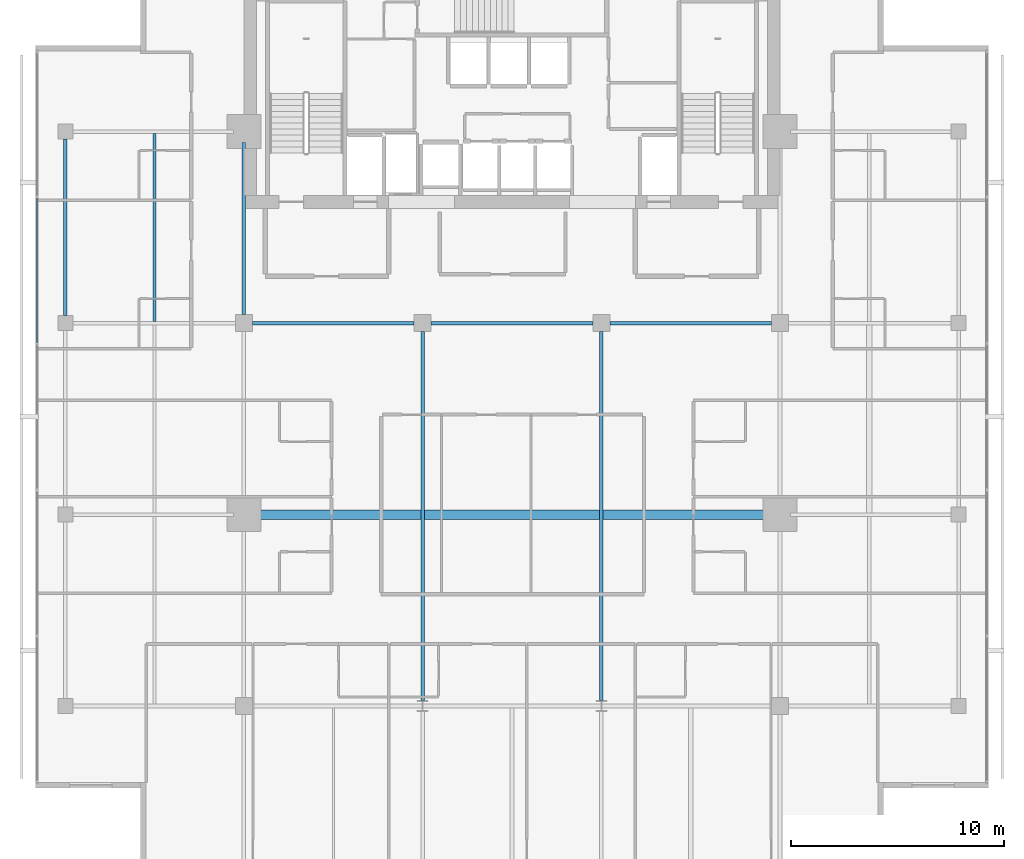
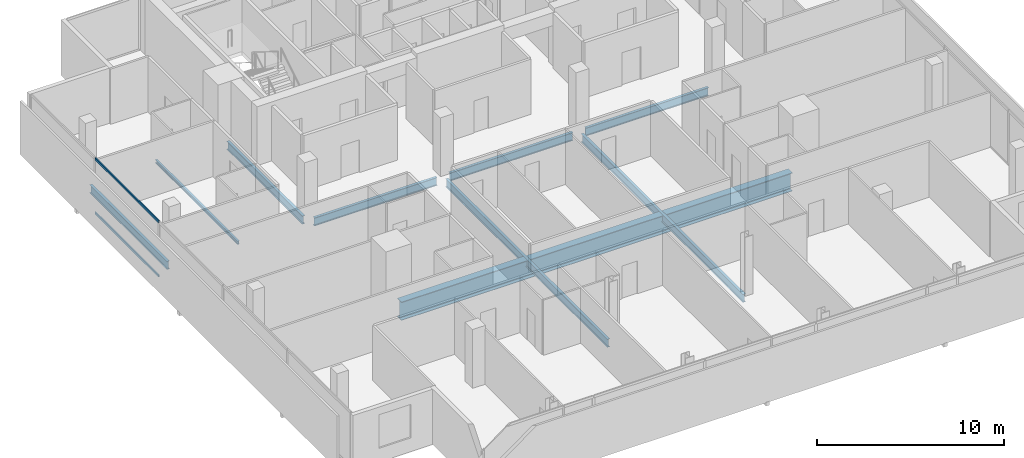
# One storey, part 9 of 25: 9 beams, 2 members, 1 element without a shape of its own.
"""IFC4 building model written with IfcOpenShell, lengths in metres."""

from ifc_helpers import new_model, si_unit, direction, frame, origin, origin_2d, place, context, subcontext, project, spatial, hollow_rectangle, i_section, extrude, material, layer, layer_set, material_profile, profile_set, type_object, element, aggregate, save


model = new_model("IFC4")

# Units and contexts
model_context = context("Model", 3, precision=1e-05, world=origin(), true_north=direction((0.0, 1.0)))
body_context = subcontext(model_context, "Body", "Model", "MODEL_VIEW")
ifc_project = project(units=[si_unit("LENGTHUNIT", "METRE"), si_unit("AREAUNIT", "SQUARE_METRE"), si_unit("VOLUMEUNIT", "CUBIC_METRE"), si_unit("PLANEANGLEUNIT", "RADIAN"), si_unit("MASSUNIT", "GRAM", prefix="KILO")], contexts=[model_context])

# Site, building, storey
site_placement = place(None, origin())
site = spatial("IfcSite", under=ifc_project, at=site_placement, CompositionType="ELEMENT")
building_placement = place(site_placement, origin())
building = spatial("IfcBuilding", under=site, at=building_placement, Name="Maruvema Waterfront Hotel and Observation Tower", CompositionType="ELEMENT")
storey_placement = place(building_placement, frame((0.0, 0.0, 304.85009765625)))
storey = spatial("IfcBuildingStorey", under=building, at=storey_placement, Name="L75", CompositionType="ELEMENT", Elevation=304.85009765625)

# Curtain wall, members
ifc_material_1 = material(Name="Anodised bronze aluminium and solar-control low-E IGU", Category="aluminium")
ifc_layer = layer(ifc_material_1, 0.159912109375, Name="Zone 3 Champagne Inner Thermal Curtain Wall System CW-04")
ifc_layer_set = layer_set([ifc_layer], Name="Anodised bronze aluminium and solar-control low-E IGU")
curtain_wall_type = type_object("IfcCurtainWallType", Name="Zone 3 Champagne Inner Thermal Curtain Wall System CW-04", PredefinedType="USERDEFINED", material=ifc_layer_set)
curtain_wall_placement = place(storey_placement, origin())
curtain_wall = element("IfcCurtainWall", 1, at=curtain_wall_placement, inside=storey, type_object=curtain_wall_type, Name="L75 Curtain Wall CW-L75-W", ObjectType="UNITISED CURTAIN WALL", PredefinedType="USERDEFINED")
ifc_material_2 = material(Name="Anodised architectural bronze aluminium", Category="aluminium")
ifc_material_profile_1 = material_profile(ifc_material_2, hollow_rectangle(XDim=0.070068359375, YDim=0.14990234375, WallThickness=0.00390625, at=origin_2d()), Name="ALU-T70x150")
ifc_profile_set_1 = profile_set([ifc_material_profile_1], Name="Anodised architectural bronze aluminium")
member_type = type_object("IfcMemberType", Name="Curtain Wall Horizontal Transom ALU-T70x150", PredefinedType="USERDEFINED", material=ifc_profile_set_1)
member_1_placement = place(storey_placement, frame((15.47998046875, 41.889892578125, 0.02978515625), z_axis=(0.0, -1.0, 0.0), x_axis=(1.0, 0.0, 0.0)))
member_1 = element("IfcMember", 2, at=member_1_placement, type_object=member_type, Name="CW-04 transom 2.1", ObjectType="TRANSOM", PredefinedType="USERDEFINED", context=body_context, shape_type="SweptSolid", body=[
    extrude(hollow_rectangle(XDim=0.070068359375, YDim=0.14990234375, WallThickness=0.00390625, at=origin_2d()), origin(), (0.0, 0.0, 1.0), 6.81982421875),
])
member_2_placement = place(storey_placement, frame((15.47998046875, 41.889892578125, 3.579833984375), z_axis=(0.0, -1.0, 0.0), x_axis=(1.0, 0.0, 0.0)))
member_2 = element("IfcMember", 3, at=member_2_placement, type_object=member_type, Name="CW-04 transom 2.2", ObjectType="TRANSOM", PredefinedType="USERDEFINED", context=body_context, shape_type="SweptSolid", body=[
    extrude(hollow_rectangle(XDim=0.070068359375, YDim=0.14990234375, WallThickness=0.00390625, at=origin_2d()), origin(), (0.0, 0.0, 1.0), 6.81982421875),
])
aggregate(curtain_wall, [member_1, member_2])

# Beams
ifc_material_3 = material(Name="Steel ASTM A572 Grade 50", Category="steel")
ifc_material_profile_2 = material_profile(ifc_material_3, i_section(OverallWidth=0.166015625, OverallDepth=0.529052734375, WebThickness=0.009765625, FlangeThickness=0.013671875, FilletRadius=0.014892578125, at=origin_2d()), Name="W530x74.0")
ifc_profile_set_2 = profile_set([ifc_material_profile_2], Name="Steel ASTM A572 Grade 50")
beam_type_1 = type_object("IfcBeamType", Name="Primary Floor Girder W530x74.0", PredefinedType="BEAM", material=ifc_profile_set_2)
beam_1_placement = place(storey_placement, frame((25.60009765625, 36.0, -0.504638671875), z_axis=(1.0, 0.0, 0.0), x_axis=(0.0, 1.0, 0.0)))
element("IfcBeam", 4, at=beam_1_placement, inside=storey, type_object=beam_type_1, Name="L75 Floor Girder EW-13", PredefinedType="BEAM", context=body_context, shape_type="SweptSolid", body=[
    extrude(i_section(OverallWidth=0.166015625, OverallDepth=0.529052734375, WebThickness=0.009765625, FlangeThickness=0.013671875, FilletRadius=0.014892578125, at=origin_2d()), origin(), (0.0, 0.0, 1.0), 7.599853515625),
])
for number, where, z_axis, x_axis, name in (
    (5, (34.0, 36.0, -0.504638671875), (1.0, 0.0, 0.0), (0.0, 1.0, 0.0), "L75 Floor Girder EW-14"),
    (6, (42.39990234375, 36.0, -0.504638671875), (1.0, 0.0, 0.0), (0.0, 1.0, 0.0), "L75 Floor Girder EW-15"),
):
    element("IfcBeam", number, at=place(storey_placement, frame(where, z_axis=z_axis, x_axis=x_axis)), inside=storey, type_object=beam_type_1, Name=name, PredefinedType="BEAM", context=body_context, shape_type="SweptSolid", body=[
        extrude(i_section(OverallWidth=0.166015625, OverallDepth=0.529052734375, WebThickness=0.009765625, FlangeThickness=0.013671875, FilletRadius=0.014892578125, at=origin_2d()), origin(), (0.0, 0.0, 1.0), 7.60009765625),
    ])
beam_2_placement = place(storey_placement, frame((16.800048828125, 36.35009765625, -0.504638671875), z_axis=(0.0, 1.0, 0.0), x_axis=(-1.0, 0.0, 0.0)))
element("IfcBeam", 7, at=beam_2_placement, inside=storey, type_object=beam_type_1, Name="L75 Floor Girder NS-03", PredefinedType="BEAM", context=body_context, shape_type="SweptSolid", body=[
    extrude(i_section(OverallWidth=0.166015625, OverallDepth=0.529052734375, WebThickness=0.009765625, FlangeThickness=0.013671875, FilletRadius=0.014892578125, at=origin_2d()), origin(), (0.0, 0.0, 1.0), 8.2998046875),
])
beam_3_placement = place(storey_placement, frame((25.199951171875, 36.39990234375, -0.504638671875), z_axis=(0.0, 1.0, 0.0), x_axis=(-1.0, 0.0, 0.0)))
element("IfcBeam", 8, at=beam_3_placement, inside=storey, type_object=beam_type_1, Name="L75 Floor Girder NS-07", PredefinedType="BEAM", context=body_context, shape_type="SweptSolid", body=[
    extrude(i_section(OverallWidth=0.166015625, OverallDepth=0.529052734375, WebThickness=0.009765625, FlangeThickness=0.013671875, FilletRadius=0.014892578125, at=origin_2d()), origin(), (0.0, 0.0, 1.0), 8.10009765625),
])
for number, where, z_axis, x_axis, name in (
    (9, (33.60009765625, 18.25, -0.504638671875), (0.0, 1.0, 0.0), (-1.0, 0.0, 0.0), "L75 Floor Girder NS-09"),
    (10, (42.0, 18.25, -0.504638671875), (0.0, 1.0, 0.0), (-1.0, 0.0, 0.0), "L75 Floor Girder NS-11"),
):
    element("IfcBeam", number, at=place(storey_placement, frame(where, z_axis=z_axis, x_axis=x_axis)), inside=storey, type_object=beam_type_1, Name=name, PredefinedType="BEAM", context=body_context, shape_type="SweptSolid", body=[
        extrude(i_section(OverallWidth=0.166015625, OverallDepth=0.529052734375, WebThickness=0.009765625, FlangeThickness=0.013671875, FilletRadius=0.014892578125, at=origin_2d()), origin(), (0.0, 0.0, 1.0), 17.35009765625),
    ])
ifc_material_4 = material(Name="Steel ASTM A572 Grade 50", Category="steel")
ifc_material_profile_3 = material_profile(ifc_material_4, i_section(OverallWidth=0.133056640625, OverallDepth=0.20703125, WebThickness=0.005859375, FlangeThickness=0.00830078125, FilletRadius=0.010009765625, at=origin_2d()), Name="W200x26.6")
ifc_profile_set_3 = profile_set([ifc_material_profile_3], Name="Steel ASTM A572 Grade 50")
beam_type_2 = type_object("IfcBeamType", Name="Secondary Floor Joist W200x26.6", PredefinedType="JOIST", material=ifc_profile_set_3)
beam_4_placement = place(storey_placement, frame((21.0, 36.0830078125, -0.343505859375), z_axis=(0.0, 1.0, 0.0), x_axis=(-1.0, 0.0, 0.0)))
element("IfcBeam", 11, at=beam_4_placement, inside=storey, type_object=beam_type_2, Name="L75 Secondary Floor Joist JS-03", PredefinedType="JOIST", context=body_context, shape_type="SweptSolid", body=[
    extrude(i_section(OverallWidth=0.133056640625, OverallDepth=0.20703125, WebThickness=0.005859375, FlangeThickness=0.00830078125, FilletRadius=0.010009765625, at=origin_2d()), origin(), (0.0, 0.0, 1.0), 8.833984375),
])
ifc_material_5 = material(Name="Steel ABNT NBR 7007 AR 415 (ASTM A572 Grade 50)", Category="steel")
ifc_material_profile_4 = material_profile(ifc_material_5, i_section(OverallWidth=0.449951171875, OverallDepth=1.199951171875, WebThickness=0.01904296875, FlangeThickness=0.031982421875, at=origin_2d()), Name="VS1200x366")
ifc_profile_set_4 = profile_set([ifc_material_profile_4], Name="Steel ABNT NBR 7007 AR 415 (ASTM A572 Grade 50)")
beam_type_3 = type_object("IfcBeamType", Name="Upper Setback Transfer Girder VS1200x366", PredefinedType="USERDEFINED", material=ifc_profile_set_4)
beam_5_placement = place(storey_placement, frame((25.699951171875, 27.0, -0.840087890625), z_axis=(1.0, 0.0, 0.0), x_axis=(0.0, 1.0, 0.0)))
element("IfcBeam", 12, at=beam_5_placement, inside=storey, type_object=beam_type_3, Name="L75 Floor Girder EW-10", ObjectType="TRANSFER GIRDER", PredefinedType="USERDEFINED", context=body_context, shape_type="SweptSolid", body=[
    extrude(i_section(OverallWidth=0.449951171875, OverallDepth=1.199951171875, WebThickness=0.01904296875, FlangeThickness=0.031982421875, at=origin_2d()), origin(), (0.0, 0.0, 1.0), 24.199951171875),
])

save(model, "model.ifc")
